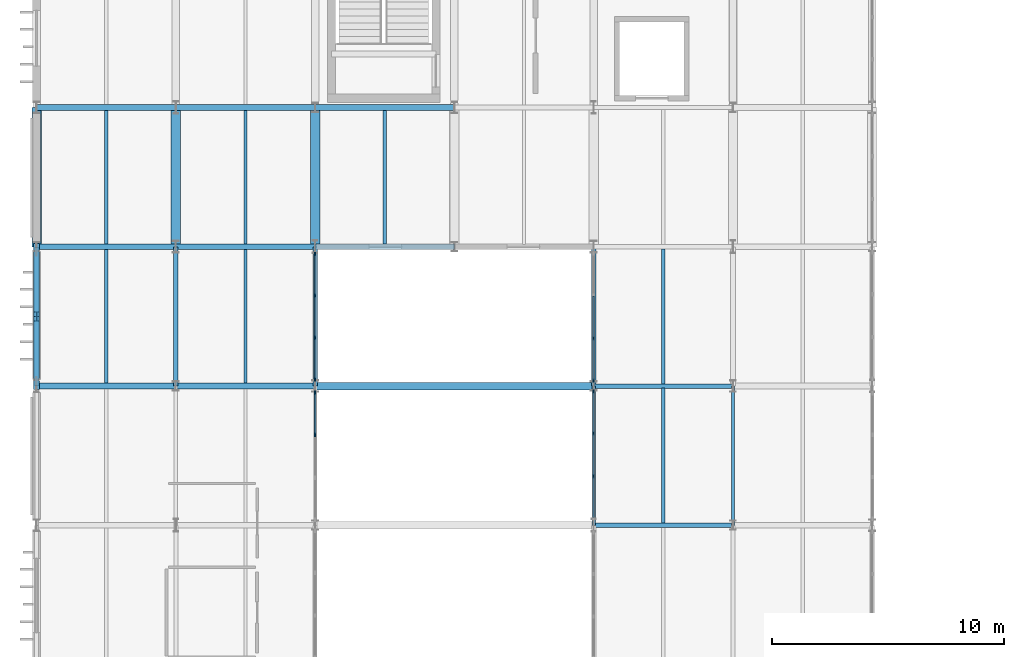
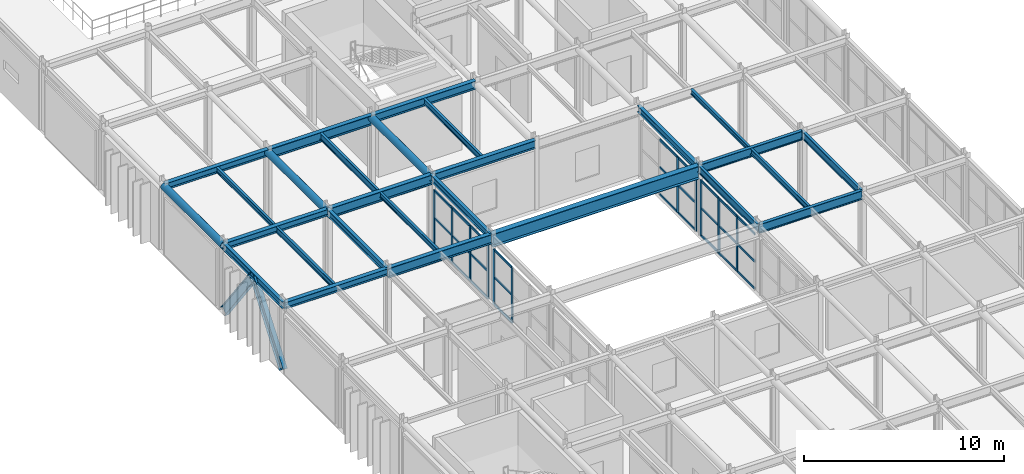
# One storey, part 26 of 84: 40 members, 27 beams, 4 elements without a shape of their own.
"""IFC4 building model written with IfcOpenShell, lengths in metres."""

import ifcopenshell
import ifcopenshell.guid

model = None  # the IFC model being written
_history = None  # IfcOwnerHistory: only IFC2X3 demands one
_inside = {}  # id of a spatial element -> (the spatial element, [elements in it])
_under = {}  # id of a project, library or spatial element -> (it, [spatial elements below it])
_declared = {}  # id of a project -> (the project, [libraries it declares])
_typed = {}  # id of a type object -> (the type object, [elements of that type])
_made_of = {}  # id of a material, layer set ... -> (it, [elements and type objects made of it])


def new_model(schema):
    """Start an empty IFC model of exactly this schema.

    Asked for "IFC4X3", IfcOpenShell would pick the latest addendum, in which some entities
    have other attributes; the version numbers below select the first issue.
    IFC2X3 requires an IfcOwnerHistory on every rooted entity: one is made here for all.
    """
    global model, _history
    if schema == "IFC4X3":
        model = ifcopenshell.file(schema_version=(4, 3, 0, 0))
    else:
        model = ifcopenshell.file(schema=schema)
    _inside.clear()
    _under.clear()
    _declared.clear()
    _typed.clear()
    _made_of.clear()
    _history = None
    if model.schema == "IFC2X3":
        org = make("IfcOrganization", Name="unknown")
        user = make(
            "IfcPersonAndOrganization",
            ThePerson=make("IfcPerson", FamilyName="unknown"),
            TheOrganization=org,
        )
        app = make(
            "IfcApplication",
            ApplicationDeveloper=org,
            Version="unknown",
            ApplicationFullName="unknown",
            ApplicationIdentifier="unknown",
        )
        _history = make(
            "IfcOwnerHistory",
            OwningUser=user,
            OwningApplication=app,
            ChangeAction="ADDED",
            CreationDate=0,
        )
    return model


def make(cls, **values):
    """One entity of the class cls with the attributes given. An attribute that is None is left unset."""
    return model.create_entity(
        cls, **{name: value for name, value in values.items() if value is not None}
    )


def rooted(cls, **values):
    """An entity with a GlobalId (a new one), such as an element, a storey or a relation."""
    return make(cls, GlobalId=ifcopenshell.guid.new(), OwnerHistory=_history, **values)


def si_unit(unit_type, name, prefix=None):
    """IfcSIUnit, for example si_unit("LENGTHUNIT", "METRE", prefix="MILLI")."""
    return make("IfcSIUnit", UnitType=unit_type, Prefix=prefix, Name=name)


def assignment(units):
    """IfcUnitAssignment: the units of a project."""
    return None if units is None else make("IfcUnitAssignment", Units=units)


def point(xyz):
    """IfcCartesianPoint."""
    return None if xyz is None else make("IfcCartesianPoint", Coordinates=xyz)


def direction(xyz):
    """IfcDirection."""
    return None if xyz is None else make("IfcDirection", DirectionRatios=xyz)


def frame(location, z_axis=None, x_axis=None):
    """IfcAxis2Placement3D, a coordinate frame: its origin and axes. An axis left out is left unset."""
    return make(
        "IfcAxis2Placement3D",
        Location=point(location),
        Axis=direction(z_axis),
        RefDirection=direction(x_axis),
    )


def frame_2d(location, x_axis=None):
    """IfcAxis2Placement2D, a coordinate frame in the plane: its origin and x axis."""
    return make(
        "IfcAxis2Placement2D", Location=point(location), RefDirection=direction(x_axis)
    )


def origin():
    """The frame at (0, 0, 0) with its axes left unset."""
    return frame((0.0, 0.0, 0.0))


def origin_2d():
    """The frame at (0, 0) in the plane with its x axis left unset."""
    return frame_2d((0.0, 0.0))


def place(relative_to, where):
    """IfcLocalPlacement: puts the frame where relative to a parent placement (None: the world)."""
    return make(
        "IfcLocalPlacement", PlacementRelTo=relative_to, RelativePlacement=where
    )


def context(
    kind, dimensions, precision=None, world=None, true_north=None, identifier=None
):
    """IfcGeometricRepresentationContext, for example the 3D "Model" context."""
    return make(
        "IfcGeometricRepresentationContext",
        ContextIdentifier=identifier,
        ContextType=kind,
        CoordinateSpaceDimension=dimensions,
        Precision=precision,
        WorldCoordinateSystem=world,
        TrueNorth=true_north,
    )


def subcontext(parent, identifier, kind, view, scale=None):
    """IfcGeometricRepresentationSubContext, for example "Body" below "Model"."""
    return make(
        "IfcGeometricRepresentationSubContext",
        ContextIdentifier=identifier,
        ContextType=kind,
        ParentContext=parent,
        TargetScale=scale,
        TargetView=view,
    )


def project(units=None, contexts=None):
    """IfcProject with its units and contexts."""
    return rooted(
        "IfcProject",
        Name="project",
        RepresentationContexts=contexts,
        UnitsInContext=assignment(units),
    )


def spatial(cls, under=None, at=None, **own):
    """A site, building, storey or space (cls), placed at a placement, below another one or the project."""
    s = rooted(cls, ObjectPlacement=at, **own)
    if under is not None:
        _under.setdefault(under.id(), (under, []))[1].append(s)
    return s


def profile(cls, at=None, kind="AREA", **sizes):
    """A parametric profile (cls). Its sizes go by their IFC names, for example OverallWidth=200.0."""
    return make(cls, ProfileType=kind, Position=at, **sizes)


def rectangle(**sizes):
    """IfcRectangleProfileDef."""
    return profile("IfcRectangleProfileDef", **sizes)


def hollow_circle(**sizes):
    """IfcCircleHollowProfileDef."""
    return profile("IfcCircleHollowProfileDef", **sizes)


def i_section(**sizes):
    """IfcIShapeProfileDef."""
    return profile("IfcIShapeProfileDef", **sizes)


def extrude(swept, where, along, depth):
    """IfcExtrudedAreaSolid: the profile swept, set in the frame where, extruded along a direction by depth."""
    return make(
        "IfcExtrudedAreaSolid",
        SweptArea=swept,
        Position=where,
        ExtrudedDirection=direction(along),
        Depth=depth,
    )


def shape(context_of_items, identifier, shape_type, items):
    """IfcShapeRepresentation: the items that make up one representation, for example the "Body"."""
    return make(
        "IfcShapeRepresentation",
        ContextOfItems=context_of_items,
        RepresentationIdentifier=identifier,
        RepresentationType=shape_type,
        Items=items,
    )


def material(Name=None, Category=None):
    """IfcMaterial."""
    return make("IfcMaterial", Name=Name, Category=Category)


def material_profile(
    of_material, cross_section, Name=None, Category=None, Priority=None
):
    """IfcMaterialProfile: a cross section and its material."""
    return make(
        "IfcMaterialProfile",
        Name=Name,
        Material=of_material,
        Profile=cross_section,
        Priority=Priority,
        Category=Category,
    )


def profile_set(profiles, Name=None, composite=None):
    """IfcMaterialProfileSet."""
    return make(
        "IfcMaterialProfileSet",
        Name=Name,
        MaterialProfiles=profiles,
        CompositeProfile=composite,
    )


def made_of(thing, what):
    """Note that an element or type object is made of a material, layer set ...; save() writes the relation."""
    if what is not None:
        _made_of.setdefault(what.id(), (what, []))[1].append(thing)
    return thing


def type_object(cls, material=None, **own):
    """A type object (cls), such as IfcWallType, which elements share."""
    return made_of(rooted(cls, **own), material)


def element(
    cls,
    number,
    at=None,
    inside=None,
    cuts=None,
    type_object=None,
    material=None,
    context=None,
    identifier="Body",
    shape_type=None,
    held_by="IfcProductDefinitionShape",
    body=None,
    shapes=None,
    **own,
):
    """One element of the class cls, such as IfcWall. Its Tag is "e" and its number.

    at: its placement. inside: the storey or other place that contains it. cuts: it is an
    opening in that element (IfcRelVoidsElement). A single representation is given by context,
    identifier, shape_type and body (its items); several are given by shapes. held_by: the class
    of the entity that holds the representations. save() writes the other relations.
    """
    e = rooted(cls, Tag="e%d" % number, ObjectPlacement=at, **own)
    if body is not None:
        shapes = [shape(context, identifier, shape_type, body)]
    if shapes is not None:
        e.Representation = make(held_by, Representations=shapes)
    if inside is not None:
        _inside.setdefault(inside.id(), (inside, []))[1].append(e)
    if cuts is not None:
        rooted(
            "IfcRelVoidsElement", RelatingBuildingElement=cuts, RelatedOpeningElement=e
        )
    if type_object is not None:
        _typed.setdefault(type_object.id(), (type_object, []))[1].append(e)
    return made_of(e, material)


def aggregate(whole, parts):
    """IfcRelAggregates: a whole, such as a stair, and the parts it consists of."""
    return rooted("IfcRelAggregates", RelatingObject=whole, RelatedObjects=parts)


def save(model, path):
    """Write the relations noted so far, then the file.

    IfcRelAggregates (storeys below a building ...), IfcRelContainedInSpatialStructure (elements
    in a storey), IfcRelDefinesByType, IfcRelAssociatesMaterial and IfcRelDeclares: one each for
    every whole, place, type object, material and project.
    """
    for whole, parts in _under.values():
        aggregate(whole, parts)
    for where, things in _inside.values():
        rooted(
            "IfcRelContainedInSpatialStructure",
            RelatedElements=things,
            RelatingStructure=where,
        )
    for kind, things in _typed.values():
        rooted("IfcRelDefinesByType", RelatedObjects=things, RelatingType=kind)
    for what, things in _made_of.values():
        rooted("IfcRelAssociatesMaterial", RelatedObjects=things, RelatingMaterial=what)
    for by, libraries in _declared.values():
        rooted("IfcRelDeclares", RelatingContext=by, RelatedDefinitions=libraries)
    model.write(path)


model = new_model("IFC4")

# Units and contexts
model_context = context("Model", 3, precision=1e-05, world=origin(), true_north=direction((0.0, 1.0)))
body_context = subcontext(model_context, "Body", "Model", "MODEL_VIEW")
ifc_project = project(units=[si_unit("LENGTHUNIT", "METRE"), si_unit("AREAUNIT", "SQUARE_METRE"), si_unit("VOLUMEUNIT", "CUBIC_METRE"), si_unit("PLANEANGLEUNIT", "RADIAN"), si_unit("MASSUNIT", "GRAM", prefix="KILO")], contexts=[model_context])

# Site, building, storey
site_placement = place(None, origin())
site = spatial("IfcSite", under=ifc_project, at=site_placement, CompositionType="ELEMENT")
building_placement = place(site_placement, origin())
building = spatial("IfcBuilding", under=site, at=building_placement, Name="Varnakota Square Police Headquarters", CompositionType="ELEMENT")
storey_placement = place(building_placement, frame((0.0, 0.0, 13.5)))
storey = spatial("IfcBuildingStorey", under=building, at=storey_placement, Name="L03", CompositionType="ELEMENT", Elevation=13.5)

# Beams
ifc_material_1 = material(Name="Steel IS 2062 Grade 350", Category="steel")
ifc_material_profile_1 = material_profile(ifc_material_1, hollow_circle(Radius=0.203125, WallThickness=0.01611328125, at=origin_2d()), Name="CHS 406.4x16.0")
ifc_profile_set_1 = profile_set([ifc_material_profile_1], Name="Steel IS 2062 Grade 350")
beam_type_1 = type_object("IfcBeamType", Name="BM-ARC-CHS406", PredefinedType="BEAM", material=ifc_profile_set_1)
for number, where, z_axis, x_axis, name in (
    (1, (6.0, 57.0, 3.996826171875), (0.0, 1.0, 0.0), (-1.0, 0.0, 0.0), "BMG-L03-2601"),
    (2, (12.0, 57.0, 3.996826171875), (0.0, 1.0, 0.0), (-1.0, 0.0, 0.0), "BMG-L03-2615"),
    (3, (18.0, 57.0, 3.996826171875), (0.0, 1.0, 0.0), (-1.0, 0.0, 0.0), "BMG-L03-2625"),
):
    element("IfcBeam", number, at=place(storey_placement, frame(where, z_axis=z_axis, x_axis=x_axis)), inside=storey, type_object=beam_type_1, Name=name, PredefinedType="BEAM", context=body_context, shape_type="SweptSolid", body=[
        extrude(hollow_circle(Radius=0.203125, WallThickness=0.01611328125, at=origin_2d()), origin(), (0.0, 0.0, 1.0), 6.0),
    ])
ifc_material_profile_2 = material_profile(ifc_material_1, i_section(OverallWidth=0.320068359375, OverallDepth=0.800048828125, WebThickness=0.01611328125, FlangeThickness=0.028076171875, at=origin_2d()), Name="BPG 800x320")
ifc_profile_set_2 = profile_set([ifc_material_profile_2], Name="Steel IS 2062 Grade 350")
beam_type_2 = type_object("IfcBeamType", Name="BM-BPG800", PredefinedType="BEAM", material=ifc_profile_set_2)
beam_1_placement = place(storey_placement, frame((18.0, 51.0, 3.800048828125), z_axis=(1.0, 0.0, 0.0), x_axis=(0.0, 1.0, 0.0)))
element("IfcBeam", 4, at=beam_1_placement, inside=storey, type_object=beam_type_2, Name="BMG-L03-2493", PredefinedType="BEAM", context=body_context, shape_type="SweptSolid", body=[
    extrude(i_section(OverallWidth=0.320068359375, OverallDepth=0.800048828125, WebThickness=0.01611328125, FlangeThickness=0.028076171875, at=origin_2d()), origin(), (0.0, 0.0, 1.0), 12.0),
])
ifc_material_profile_3 = material_profile(ifc_material_1, i_section(OverallWidth=0.25, OverallDepth=0.39990234375, WebThickness=0.010498046875, FlangeThickness=0.0126953125, FilletRadius=0.013916015625, at=origin_2d()), Name="ISHB 400")
ifc_profile_set_3 = profile_set([ifc_material_profile_3], Name="Steel IS 2062 Grade 350")
beam_type_3 = type_object("IfcBeamType", Name="BM-ISHB400", PredefinedType="BEAM", material=ifc_profile_set_3)
for number, where, z_axis, x_axis, name in (
    (5, (6.0, 51.0, 4.0), (1.0, 0.0, 0.0), (0.0, 1.0, 0.0), "BMG-L03-2491"),
    (6, (6.0, 57.0, 4.0), (1.0, 0.0, 0.0), (0.0, 1.0, 0.0), "BMG-L03-2496"),
    (7, (6.0, 63.0, 4.0), (1.0, 0.0, 0.0), (0.0, 1.0, 0.0), "BMG-L03-2502"),
):
    element("IfcBeam", number, at=place(storey_placement, frame(where, z_axis=z_axis, x_axis=x_axis)), inside=storey, type_object=beam_type_3, Name=name, PredefinedType="BEAM", context=body_context, shape_type="SweptSolid", body=[
        extrude(i_section(OverallWidth=0.25, OverallDepth=0.39990234375, WebThickness=0.010498046875, FlangeThickness=0.0126953125, FilletRadius=0.013916015625, at=origin_2d()), origin(), (0.0, 0.0, 1.0), 6.0),
    ])
ifc_material_profile_4 = material_profile(ifc_material_1, i_section(OverallWidth=0.139892578125, OverallDepth=0.300048828125, WebThickness=0.0078125, FlangeThickness=0.01318359375, FilletRadius=0.013916015625, at=origin_2d()), Name="ISMB 300")
ifc_profile_set_4 = profile_set([ifc_material_profile_4], Name="Steel IS 2062 Grade 350")
beam_type_4 = type_object("IfcBeamType", Name="BM-ISMB300", PredefinedType="JOIST", material=ifc_profile_set_4)
for number, where, z_axis, x_axis, name in (
    (8, (9.0, 57.123046875, 4.050048828125), (0.0, 1.0, 0.0), (-1.0, 0.0, 0.0), "BMG-L03-2762"),
    (9, (15.0, 51.123046875, 4.050048828125), (0.0, 1.0, 0.0), (-1.0, 0.0, 0.0), "BMG-L03-2769"),
):
    element("IfcBeam", number, at=place(storey_placement, frame(where, z_axis=z_axis, x_axis=x_axis)), inside=storey, type_object=beam_type_4, Name=name, PredefinedType="JOIST", context=body_context, shape_type="SweptSolid", body=[
        extrude(i_section(OverallWidth=0.139892578125, OverallDepth=0.300048828125, WebThickness=0.0078125, FlangeThickness=0.01318359375, FilletRadius=0.013916015625, at=origin_2d()), origin(), (0.0, 0.0, 1.0), 5.75390625),
    ])
beam_2_placement = place(storey_placement, frame((33.0, 51.093017578125, 4.050048828125), z_axis=(0.0, 1.0, 0.0), x_axis=(-1.0, 0.0, 0.0)))
element("IfcBeam", 10, at=beam_2_placement, inside=storey, type_object=beam_type_4, Name="BMG-L03-2787", PredefinedType="JOIST", context=body_context, shape_type="SweptSolid", body=[
    extrude(i_section(OverallWidth=0.139892578125, OverallDepth=0.300048828125, WebThickness=0.0078125, FlangeThickness=0.01318359375, FilletRadius=0.013916015625, at=origin_2d()), origin(), (0.0, 0.0, 1.0), 5.81396484375),
])
ifc_material_profile_5 = material_profile(ifc_material_1, i_section(OverallWidth=0.139892578125, OverallDepth=0.35009765625, WebThickness=0.008056640625, FlangeThickness=0.01416015625, FilletRadius=0.013916015625, at=origin_2d()), Name="ISMB 350")
ifc_profile_set_5 = profile_set([ifc_material_profile_5], Name="Steel IS 2062 Grade 350")
beam_type_5 = type_object("IfcBeamType", Name="BM-ISMB350", PredefinedType="JOIST", material=ifc_profile_set_5)
for number, where, z_axis, x_axis, name in (
    (11, (9.0, 51.123046875, 4.02490234375), (0.0, 1.0, 0.0), (-1.0, 0.0, 0.0), "BMG-L03-2761"),
    (12, (21.0, 57.123046875, 4.02490234375), (0.0, 1.0, 0.0), (-1.0, 0.0, 0.0), "BMG-L03-2776"),
):
    element("IfcBeam", number, at=place(storey_placement, frame(where, z_axis=z_axis, x_axis=x_axis)), inside=storey, type_object=beam_type_5, Name=name, PredefinedType="JOIST", context=body_context, shape_type="SweptSolid", body=[
        extrude(i_section(OverallWidth=0.139892578125, OverallDepth=0.35009765625, WebThickness=0.008056640625, FlangeThickness=0.01416015625, FilletRadius=0.013916015625, at=origin_2d()), origin(), (0.0, 0.0, 1.0), 5.75390625),
    ])
beam_3_placement = place(storey_placement, frame((33.0, 45.093017578125, 4.02490234375), z_axis=(0.0, 1.0, 0.0), x_axis=(-1.0, 0.0, 0.0)))
element("IfcBeam", 13, at=beam_3_placement, inside=storey, type_object=beam_type_5, Name="BMG-L03-2786", PredefinedType="JOIST", context=body_context, shape_type="SweptSolid", body=[
    extrude(i_section(OverallWidth=0.139892578125, OverallDepth=0.35009765625, WebThickness=0.008056640625, FlangeThickness=0.01416015625, FilletRadius=0.013916015625, at=origin_2d()), origin(), (0.0, 0.0, 1.0), 5.81396484375),
])
ifc_material_profile_6 = material_profile(ifc_material_1, i_section(OverallWidth=0.139892578125, OverallDepth=0.39990234375, WebThickness=0.0087890625, FlangeThickness=0.01611328125, FilletRadius=0.013916015625, at=origin_2d()), Name="ISMB 400")
ifc_profile_set_6 = profile_set([ifc_material_profile_6], Name="Steel IS 2062 Grade 350")
beam_type_6 = type_object("IfcBeamType", Name="BM-ISMB400", PredefinedType="JOIST", material=ifc_profile_set_6)
beam_4_placement = place(storey_placement, frame((15.0, 57.123046875, 4.0), z_axis=(0.0, 1.0, 0.0), x_axis=(-1.0, 0.0, 0.0)))
element("IfcBeam", 14, at=beam_4_placement, inside=storey, type_object=beam_type_6, Name="BMG-L03-2770", PredefinedType="JOIST", context=body_context, shape_type="SweptSolid", body=[
    extrude(i_section(OverallWidth=0.139892578125, OverallDepth=0.39990234375, WebThickness=0.0087890625, FlangeThickness=0.01611328125, FilletRadius=0.013916015625, at=origin_2d()), origin(), (0.0, 0.0, 1.0), 5.75390625),
])
ifc_material_profile_7 = material_profile(ifc_material_1, i_section(OverallWidth=0.14990234375, OverallDepth=0.449951171875, WebThickness=0.009521484375, FlangeThickness=0.017333984375, FilletRadius=0.014892578125, at=origin_2d()), Name="ISMB 450")
ifc_profile_set_7 = profile_set([ifc_material_profile_7], Name="Steel IS 2062 Grade 350")
beam_type_7 = type_object("IfcBeamType", Name="BM-ISMB450", PredefinedType="BEAM", material=ifc_profile_set_7)
for number, where, z_axis, x_axis, name in (
    (15, (30.0, 45.0, 3.97509765625), (0.0, 1.0, 0.0), (-1.0, 0.0, 0.0), "BMG-L03-2638"),
    (16, (36.0, 45.0, 3.97509765625), (0.0, 1.0, 0.0), (-1.0, 0.0, 0.0), "BMG-L03-2648"),
):
    element("IfcBeam", number, at=place(storey_placement, frame(where, z_axis=z_axis, x_axis=x_axis)), inside=storey, type_object=beam_type_7, Name=name, PredefinedType="BEAM", context=body_context, shape_type="SweptSolid", body=[
        extrude(i_section(OverallWidth=0.14990234375, OverallDepth=0.449951171875, WebThickness=0.009521484375, FlangeThickness=0.017333984375, FilletRadius=0.014892578125, at=origin_2d()), origin(), (0.0, 0.0, 1.0), 6.0),
    ])
ifc_material_profile_8 = material_profile(ifc_material_1, i_section(OverallWidth=0.18994140625, OverallDepth=0.550048828125, WebThickness=0.01123046875, FlangeThickness=0.019287109375, FilletRadius=0.01806640625, at=origin_2d()), Name="ISMB 550")
ifc_profile_set_8 = profile_set([ifc_material_profile_8], Name="Steel IS 2062 Grade 350")
beam_type_8 = type_object("IfcBeamType", Name="BM-ISMB550", PredefinedType="BEAM", material=ifc_profile_set_8)
for number, where, z_axis, x_axis, name in (
    (17, (30.0, 45.0, 3.925048828125), (1.0, 0.0, 0.0), (0.0, 1.0, 0.0), "BMG-L03-2486"),
    (18, (30.0, 51.0, 3.925048828125), (1.0, 0.0, 0.0), (0.0, 1.0, 0.0), "BMG-L03-2494"),
):
    element("IfcBeam", number, at=place(storey_placement, frame(where, z_axis=z_axis, x_axis=x_axis)), inside=storey, type_object=beam_type_8, Name=name, PredefinedType="BEAM", context=body_context, shape_type="SweptSolid", body=[
        extrude(i_section(OverallWidth=0.18994140625, OverallDepth=0.550048828125, WebThickness=0.01123046875, FlangeThickness=0.019287109375, FilletRadius=0.01806640625, at=origin_2d()), origin(), (0.0, 0.0, 1.0), 6.0),
    ])
ifc_material_profile_9 = material_profile(ifc_material_1, i_section(OverallWidth=0.199951171875, OverallDepth=0.39990234375, WebThickness=0.008544921875, FlangeThickness=0.012939453125, FilletRadius=0.012939453125, at=origin_2d()), Name="ISWB 400")
ifc_profile_set_9 = profile_set([ifc_material_profile_9], Name="Steel IS 2062 Grade 350")
beam_type_9 = type_object("IfcBeamType", Name="BM-ISWB400", PredefinedType="BEAM", material=ifc_profile_set_9)
for number, where, z_axis, x_axis, name in (
    (19, (6.0, 51.0, 4.0), (0.0, 1.0, 0.0), (-1.0, 0.0, 0.0), "BMG-L03-2600"),
    (20, (12.0, 51.0, 4.0), (0.0, 1.0, 0.0), (-1.0, 0.0, 0.0), "BMG-L03-2614"),
    (21, (18.0, 51.0, 4.0), (0.0, 1.0, 0.0), (-1.0, 0.0, 0.0), "BMG-L03-2624"),
    (22, (30.0, 51.0, 4.0), (0.0, 1.0, 0.0), (-1.0, 0.0, 0.0), "BMG-L03-2639"),
):
    element("IfcBeam", number, at=place(storey_placement, frame(where, z_axis=z_axis, x_axis=x_axis)), inside=storey, type_object=beam_type_9, Name=name, PredefinedType="BEAM", context=body_context, shape_type="SweptSolid", body=[
        extrude(i_section(OverallWidth=0.199951171875, OverallDepth=0.39990234375, WebThickness=0.008544921875, FlangeThickness=0.012939453125, FilletRadius=0.012939453125, at=origin_2d()), origin(), (0.0, 0.0, 1.0), 6.0),
    ])
ifc_material_profile_10 = material_profile(ifc_material_1, i_section(OverallWidth=0.25, OverallDepth=0.5, WebThickness=0.010009765625, FlangeThickness=0.0146484375, FilletRadius=0.014892578125, at=origin_2d()), Name="ISWB 500")
ifc_profile_set_10 = profile_set([ifc_material_profile_10], Name="Steel IS 2062 Grade 350")
beam_type_10 = type_object("IfcBeamType", Name="BM-ISWB500", PredefinedType="BEAM", material=ifc_profile_set_10)
for number, where, z_axis, x_axis, name in (
    (23, (18.0, 57.0, 3.949951171875), (1.0, 0.0, 0.0), (0.0, 1.0, 0.0), "BMG-L03-2498"),
    (24, (18.0, 63.0, 3.949951171875), (1.0, 0.0, 0.0), (0.0, 1.0, 0.0), "BMG-L03-2504"),
):
    element("IfcBeam", number, at=place(storey_placement, frame(where, z_axis=z_axis, x_axis=x_axis)), inside=storey, type_object=beam_type_10, Name=name, PredefinedType="BEAM", context=body_context, shape_type="SweptSolid", body=[
        extrude(i_section(OverallWidth=0.25, OverallDepth=0.5, WebThickness=0.010009765625, FlangeThickness=0.0146484375, FilletRadius=0.014892578125, at=origin_2d()), origin(), (0.0, 0.0, 1.0), 6.0),
    ])
ifc_material_profile_11 = material_profile(ifc_material_1, i_section(OverallWidth=0.25, OverallDepth=0.60009765625, WebThickness=0.01171875, FlangeThickness=0.023681640625, FilletRadius=0.01708984375, at=origin_2d()), Name="ISWB 600")
ifc_profile_set_11 = profile_set([ifc_material_profile_11], Name="Steel IS 2062 Grade 350")
beam_type_11 = type_object("IfcBeamType", Name="BM-ISWB600", PredefinedType="BEAM", material=ifc_profile_set_11)
for number, where, z_axis, x_axis, name in (
    (25, (12.0, 51.0, 3.89990234375), (1.0, 0.0, 0.0), (0.0, 1.0, 0.0), "BMG-L03-2492"),
    (26, (12.0, 57.0, 3.89990234375), (1.0, 0.0, 0.0), (0.0, 1.0, 0.0), "BMG-L03-2497"),
    (27, (12.0, 63.0, 3.89990234375), (1.0, 0.0, 0.0), (0.0, 1.0, 0.0), "BMG-L03-2503"),
):
    element("IfcBeam", number, at=place(storey_placement, frame(where, z_axis=z_axis, x_axis=x_axis)), inside=storey, type_object=beam_type_11, Name=name, PredefinedType="BEAM", context=body_context, shape_type="SweptSolid", body=[
        extrude(i_section(OverallWidth=0.25, OverallDepth=0.60009765625, WebThickness=0.01171875, FlangeThickness=0.023681640625, FilletRadius=0.01708984375, at=origin_2d()), origin(), (0.0, 0.0, 1.0), 6.0),
    ])

# Curtain wall, members
ifc_material_2 = material(Name="Anodised Aluminium Framing", Category="aluminium")
curtain_wall_type = type_object("IfcCurtainWallType", Name="CW-SYS-F", PredefinedType="NOTDEFINED", material=ifc_material_2)
curtain_wall_1_placement = place(storey_placement, origin())
curtain_wall_1 = element("IfcCurtainWall", 28, at=curtain_wall_1_placement, inside=storey, type_object=curtain_wall_type, Name="Unitised curtain wall CWG-L03-176", PredefinedType="NOTDEFINED")
ifc_material_3 = material(Name="Anodised Aluminium 6063-T6", Category="aluminium")
ifc_material_profile_12 = material_profile(ifc_material_3, rectangle(XDim=0.06494140625, YDim=0.159912109375, at=origin_2d()), Name="ALU MULLION 65x160")
ifc_profile_set_12 = profile_set([ifc_material_profile_12], Name="Anodised Aluminium 6063-T6")
member_type_1 = type_object("IfcMemberType", Name="CWM-150", PredefinedType="MULLION", material=ifc_profile_set_12)
member_1_placement = place(storey_placement, frame((18.0, 48.8984375, 0.0), z_axis=(0.0, 0.0, 1.0), x_axis=(-1.0, 0.0, 0.0)))
member_1 = element("IfcMember", 29, at=member_1_placement, type_object=member_type_1, Name="CWG-L03-176 mullion 3", PredefinedType="MULLION", context=body_context, shape_type="SweptSolid", body=[
    extrude(rectangle(XDim=0.06494140625, YDim=0.159912109375, at=origin_2d()), origin(), (0.0, 0.0, 1.0), 3.389892578125),
])
member_2_placement = place(storey_placement, frame((18.0, 50.71240234375, 0.0), z_axis=(0.0, 0.0, 1.0), x_axis=(-1.0, 0.0, 0.0)))
member_2 = element("IfcMember", 30, at=member_2_placement, type_object=member_type_1, Name="CWG-L03-176 mullion 4", PredefinedType="MULLION", context=body_context, shape_type="SweptSolid", body=[
    extrude(rectangle(XDim=0.06494140625, YDim=0.159912109375, at=origin_2d()), origin(), (0.0, 0.0, 1.0), 3.389892578125),
])

curtain_wall_2_placement = place(storey_placement, origin())
curtain_wall_2 = element("IfcCurtainWall", 31, at=curtain_wall_2_placement, inside=storey, type_object=curtain_wall_type, Name="Unitised curtain wall CWG-L03-177", PredefinedType="NOTDEFINED")
member_3_placement = place(storey_placement, frame((30.0, 47.118408203125, 0.0), z_axis=(0.0, 0.0, 1.0), x_axis=(-1.0, 0.0, 0.0)))
member_3 = element("IfcMember", 32, at=member_3_placement, type_object=member_type_1, Name="CWG-L03-177 mullion 2", PredefinedType="MULLION", context=body_context, shape_type="SweptSolid", body=[
    extrude(rectangle(XDim=0.06494140625, YDim=0.159912109375, at=origin_2d()), origin(), (0.0, 0.0, 1.0), 3.389892578125),
])
member_4_placement = place(storey_placement, frame((30.0, 48.956787109375, 0.0), z_axis=(0.0, 0.0, 1.0), x_axis=(-1.0, 0.0, 0.0)))
member_4 = element("IfcMember", 33, at=member_4_placement, type_object=member_type_1, Name="CWG-L03-177 mullion 3", PredefinedType="MULLION", context=body_context, shape_type="SweptSolid", body=[
    extrude(rectangle(XDim=0.06494140625, YDim=0.159912109375, at=origin_2d()), origin(), (0.0, 0.0, 1.0), 3.389892578125),
])
member_5_placement = place(storey_placement, frame((30.0, 50.762451171875, 0.0), z_axis=(0.0, 0.0, 1.0), x_axis=(-1.0, 0.0, 0.0)))
member_5 = element("IfcMember", 34, at=member_5_placement, type_object=member_type_1, Name="CWG-L03-177 mullion 4", PredefinedType="MULLION", context=body_context, shape_type="SweptSolid", body=[
    extrude(rectangle(XDim=0.06494140625, YDim=0.159912109375, at=origin_2d()), origin(), (0.0, 0.0, 1.0), 3.389892578125),
])

curtain_wall_3_placement = place(storey_placement, origin())
curtain_wall_3 = element("IfcCurtainWall", 35, at=curtain_wall_3_placement, inside=storey, type_object=curtain_wall_type, Name="Unitised curtain wall CWG-L03-178", PredefinedType="NOTDEFINED")
member_6_placement = place(storey_placement, frame((18.0, 51.28759765625, 0.0), z_axis=(0.0, 0.0, 1.0), x_axis=(-1.0, 0.0, 0.0)))
member_6 = element("IfcMember", 36, at=member_6_placement, type_object=member_type_1, Name="CWG-L03-178 mullion 1", PredefinedType="MULLION", context=body_context, shape_type="SweptSolid", body=[
    extrude(rectangle(XDim=0.06494140625, YDim=0.159912109375, at=origin_2d()), origin(), (0.0, 0.0, 1.0), 3.389892578125),
])
member_7_placement = place(storey_placement, frame((18.0, 53.07666015625, 0.0), z_axis=(0.0, 0.0, 1.0), x_axis=(-1.0, 0.0, 0.0)))
member_7 = element("IfcMember", 37, at=member_7_placement, type_object=member_type_1, Name="CWG-L03-178 mullion 2", PredefinedType="MULLION", context=body_context, shape_type="SweptSolid", body=[
    extrude(rectangle(XDim=0.06494140625, YDim=0.159912109375, at=origin_2d()), origin(), (0.0, 0.0, 1.0), 3.389892578125),
])
member_8_placement = place(storey_placement, frame((18.0, 54.8984375, 0.0), z_axis=(0.0, 0.0, 1.0), x_axis=(-1.0, 0.0, 0.0)))
member_8 = element("IfcMember", 38, at=member_8_placement, type_object=member_type_1, Name="CWG-L03-178 mullion 3", PredefinedType="MULLION", context=body_context, shape_type="SweptSolid", body=[
    extrude(rectangle(XDim=0.06494140625, YDim=0.159912109375, at=origin_2d()), origin(), (0.0, 0.0, 1.0), 3.389892578125),
])
member_9_placement = place(storey_placement, frame((18.0, 56.6875, 0.0), z_axis=(0.0, 0.0, 1.0), x_axis=(-1.0, 0.0, 0.0)))
member_9 = element("IfcMember", 39, at=member_9_placement, type_object=member_type_1, Name="CWG-L03-178 mullion 4", PredefinedType="MULLION", context=body_context, shape_type="SweptSolid", body=[
    extrude(rectangle(XDim=0.06494140625, YDim=0.159912109375, at=origin_2d()), origin(), (0.0, 0.0, 1.0), 3.389892578125),
])

curtain_wall_4_placement = place(storey_placement, origin())
curtain_wall_4 = element("IfcCurtainWall", 40, at=curtain_wall_4_placement, inside=storey, type_object=curtain_wall_type, Name="Unitised curtain wall CWG-L03-179", PredefinedType="NOTDEFINED")
member_10_placement = place(storey_placement, frame((30.0, 51.237548828125, 0.0), z_axis=(0.0, 0.0, 1.0), x_axis=(-1.0, 0.0, 0.0)))
member_10 = element("IfcMember", 41, at=member_10_placement, type_object=member_type_1, Name="CWG-L03-179 mullion 1", PredefinedType="MULLION", context=body_context, shape_type="SweptSolid", body=[
    extrude(rectangle(XDim=0.06494140625, YDim=0.159912109375, at=origin_2d()), origin(), (0.0, 0.0, 1.0), 3.389892578125),
])
member_11_placement = place(storey_placement, frame((30.0, 53.0517578125, 0.0), z_axis=(0.0, 0.0, 1.0), x_axis=(-1.0, 0.0, 0.0)))
member_11 = element("IfcMember", 42, at=member_11_placement, type_object=member_type_1, Name="CWG-L03-179 mullion 2", PredefinedType="MULLION", context=body_context, shape_type="SweptSolid", body=[
    extrude(rectangle(XDim=0.06494140625, YDim=0.159912109375, at=origin_2d()), origin(), (0.0, 0.0, 1.0), 3.389892578125),
])

# Member
ifc_material_profile_13 = material_profile(ifc_material_3, rectangle(XDim=0.06494140625, YDim=0.1298828125, at=origin_2d()), Name="ALU TRANSOM 65x130")
ifc_profile_set_13 = profile_set([ifc_material_profile_13], Name="Anodised Aluminium 6063-T6")
member_type_2 = type_object("IfcMemberType", Name="CWT-120", PredefinedType="USERDEFINED", material=ifc_profile_set_13)
member_12_placement = place(storey_placement, frame((18.0, 48.930908203125, 0.032470703125), z_axis=(0.0, 1.0, 0.0), x_axis=(-1.0, 0.0, 0.0)))
member_12 = element("IfcMember", 43, at=member_12_placement, type_object=member_type_2, Name="CWG-L03-176 transom 3.1", ObjectType="TRANSOM", PredefinedType="USERDEFINED", context=body_context, shape_type="SweptSolid", body=[
    extrude(rectangle(XDim=0.06494140625, YDim=0.1298828125, at=origin_2d()), origin(), (0.0, 0.0, 1.0), 1.7490234375),
])

member_13_placement = place(storey_placement, frame((18.0, 48.930908203125, 1.695068359375), z_axis=(0.0, 1.0, 0.0), x_axis=(-1.0, 0.0, 0.0)))
member_13 = element("IfcMember", 44, at=member_13_placement, type_object=member_type_2, Name="CWG-L03-176 transom 3.2", ObjectType="TRANSOM", PredefinedType="USERDEFINED", context=body_context, shape_type="SweptSolid", body=[
    extrude(rectangle(XDim=0.06494140625, YDim=0.1298828125, at=origin_2d()), origin(), (0.0, 0.0, 1.0), 1.7490234375),
])

member_14_placement = place(storey_placement, frame((18.0, 48.930908203125, 3.357421875), z_axis=(0.0, 1.0, 0.0), x_axis=(-1.0, 0.0, 0.0)))
member_14 = element("IfcMember", 45, at=member_14_placement, type_object=member_type_2, Name="CWG-L03-176 transom 3.3", ObjectType="TRANSOM", PredefinedType="USERDEFINED", context=body_context, shape_type="SweptSolid", body=[
    extrude(rectangle(XDim=0.06494140625, YDim=0.1298828125, at=origin_2d()), origin(), (0.0, 0.0, 1.0), 1.7490234375),
])

aggregate(curtain_wall_1, [member_1, member_2, member_12, member_13, member_14])

member_15_placement = place(storey_placement, frame((30.0, 45.344970703125, 0.032470703125), z_axis=(0.0, 1.0, 0.0), x_axis=(-1.0, 0.0, 0.0)))
member_15 = element("IfcMember", 46, at=member_15_placement, type_object=member_type_2, Name="CWG-L03-177 transom 1.1", ObjectType="TRANSOM", PredefinedType="USERDEFINED", context=body_context, shape_type="SweptSolid", body=[
    extrude(rectangle(XDim=0.06494140625, YDim=0.1298828125, at=origin_2d()), origin(), (0.0, 0.0, 1.0), 1.740966796875),
])

member_16_placement = place(storey_placement, frame((30.0, 45.344970703125, 1.695068359375), z_axis=(0.0, 1.0, 0.0), x_axis=(-1.0, 0.0, 0.0)))
member_16 = element("IfcMember", 47, at=member_16_placement, type_object=member_type_2, Name="CWG-L03-177 transom 1.2", ObjectType="TRANSOM", PredefinedType="USERDEFINED", context=body_context, shape_type="SweptSolid", body=[
    extrude(rectangle(XDim=0.06494140625, YDim=0.1298828125, at=origin_2d()), origin(), (0.0, 0.0, 1.0), 1.740966796875),
])

member_17_placement = place(storey_placement, frame((30.0, 45.344970703125, 3.357421875), z_axis=(0.0, 1.0, 0.0), x_axis=(-1.0, 0.0, 0.0)))
member_17 = element("IfcMember", 48, at=member_17_placement, type_object=member_type_2, Name="CWG-L03-177 transom 1.3", ObjectType="TRANSOM", PredefinedType="USERDEFINED", context=body_context, shape_type="SweptSolid", body=[
    extrude(rectangle(XDim=0.06494140625, YDim=0.1298828125, at=origin_2d()), origin(), (0.0, 0.0, 1.0), 1.740966796875),
])

member_18_placement = place(storey_placement, frame((30.0, 47.15087890625, 0.032470703125), z_axis=(0.0, 1.0, 0.0), x_axis=(-1.0, 0.0, 0.0)))
member_18 = element("IfcMember", 49, at=member_18_placement, type_object=member_type_2, Name="CWG-L03-177 transom 2.1", ObjectType="TRANSOM", PredefinedType="USERDEFINED", context=body_context, shape_type="SweptSolid", body=[
    extrude(rectangle(XDim=0.06494140625, YDim=0.1298828125, at=origin_2d()), origin(), (0.0, 0.0, 1.0), 1.773193359375),
])

member_19_placement = place(storey_placement, frame((30.0, 47.15087890625, 1.695068359375), z_axis=(0.0, 1.0, 0.0), x_axis=(-1.0, 0.0, 0.0)))
member_19 = element("IfcMember", 50, at=member_19_placement, type_object=member_type_2, Name="CWG-L03-177 transom 2.2", ObjectType="TRANSOM", PredefinedType="USERDEFINED", context=body_context, shape_type="SweptSolid", body=[
    extrude(rectangle(XDim=0.06494140625, YDim=0.1298828125, at=origin_2d()), origin(), (0.0, 0.0, 1.0), 1.773193359375),
])

member_20_placement = place(storey_placement, frame((30.0, 47.15087890625, 3.357421875), z_axis=(0.0, 1.0, 0.0), x_axis=(-1.0, 0.0, 0.0)))
member_20 = element("IfcMember", 51, at=member_20_placement, type_object=member_type_2, Name="CWG-L03-177 transom 2.3", ObjectType="TRANSOM", PredefinedType="USERDEFINED", context=body_context, shape_type="SweptSolid", body=[
    extrude(rectangle(XDim=0.06494140625, YDim=0.1298828125, at=origin_2d()), origin(), (0.0, 0.0, 1.0), 1.773193359375),
])

member_21_placement = place(storey_placement, frame((30.0, 48.9892578125, 0.032470703125), z_axis=(0.0, 1.0, 0.0), x_axis=(-1.0, 0.0, 0.0)))
member_21 = element("IfcMember", 52, at=member_21_placement, type_object=member_type_2, Name="CWG-L03-177 transom 3.1", ObjectType="TRANSOM", PredefinedType="USERDEFINED", context=body_context, shape_type="SweptSolid", body=[
    extrude(rectangle(XDim=0.06494140625, YDim=0.1298828125, at=origin_2d()), origin(), (0.0, 0.0, 1.0), 1.74072265625),
])

member_22_placement = place(storey_placement, frame((30.0, 48.9892578125, 1.695068359375), z_axis=(0.0, 1.0, 0.0), x_axis=(-1.0, 0.0, 0.0)))
member_22 = element("IfcMember", 53, at=member_22_placement, type_object=member_type_2, Name="CWG-L03-177 transom 3.2", ObjectType="TRANSOM", PredefinedType="USERDEFINED", context=body_context, shape_type="SweptSolid", body=[
    extrude(rectangle(XDim=0.06494140625, YDim=0.1298828125, at=origin_2d()), origin(), (0.0, 0.0, 1.0), 1.74072265625),
])

member_23_placement = place(storey_placement, frame((30.0, 48.9892578125, 3.357421875), z_axis=(0.0, 1.0, 0.0), x_axis=(-1.0, 0.0, 0.0)))
member_23 = element("IfcMember", 54, at=member_23_placement, type_object=member_type_2, Name="CWG-L03-177 transom 3.3", ObjectType="TRANSOM", PredefinedType="USERDEFINED", context=body_context, shape_type="SweptSolid", body=[
    extrude(rectangle(XDim=0.06494140625, YDim=0.1298828125, at=origin_2d()), origin(), (0.0, 0.0, 1.0), 1.74072265625),
])

aggregate(curtain_wall_2, [member_3, member_4, member_5, member_15, member_16, member_17, member_18, member_19, member_20, member_21, member_22, member_23])

member_24_placement = place(storey_placement, frame((18.0, 51.320068359375, 0.032470703125), z_axis=(0.0, 1.0, 0.0), x_axis=(-1.0, 0.0, 0.0)))
member_24 = element("IfcMember", 55, at=member_24_placement, type_object=member_type_2, Name="CWG-L03-178 transom 1.1", ObjectType="TRANSOM", PredefinedType="USERDEFINED", context=body_context, shape_type="SweptSolid", body=[
    extrude(rectangle(XDim=0.06494140625, YDim=0.1298828125, at=origin_2d()), origin(), (0.0, 0.0, 1.0), 1.72412109375),
])

member_25_placement = place(storey_placement, frame((18.0, 51.320068359375, 1.695068359375), z_axis=(0.0, 1.0, 0.0), x_axis=(-1.0, 0.0, 0.0)))
member_25 = element("IfcMember", 56, at=member_25_placement, type_object=member_type_2, Name="CWG-L03-178 transom 1.2", ObjectType="TRANSOM", PredefinedType="USERDEFINED", context=body_context, shape_type="SweptSolid", body=[
    extrude(rectangle(XDim=0.06494140625, YDim=0.1298828125, at=origin_2d()), origin(), (0.0, 0.0, 1.0), 1.72412109375),
])

member_26_placement = place(storey_placement, frame((18.0, 51.320068359375, 3.357421875), z_axis=(0.0, 1.0, 0.0), x_axis=(-1.0, 0.0, 0.0)))
member_26 = element("IfcMember", 57, at=member_26_placement, type_object=member_type_2, Name="CWG-L03-178 transom 1.3", ObjectType="TRANSOM", PredefinedType="USERDEFINED", context=body_context, shape_type="SweptSolid", body=[
    extrude(rectangle(XDim=0.06494140625, YDim=0.1298828125, at=origin_2d()), origin(), (0.0, 0.0, 1.0), 1.72412109375),
])

member_27_placement = place(storey_placement, frame((18.0, 53.109130859375, 0.032470703125), z_axis=(0.0, 1.0, 0.0), x_axis=(-1.0, 0.0, 0.0)))
member_27 = element("IfcMember", 58, at=member_27_placement, type_object=member_type_2, Name="CWG-L03-178 transom 2.1", ObjectType="TRANSOM", PredefinedType="USERDEFINED", context=body_context, shape_type="SweptSolid", body=[
    extrude(rectangle(XDim=0.06494140625, YDim=0.1298828125, at=origin_2d()), origin(), (0.0, 0.0, 1.0), 1.756591796875),
])

member_28_placement = place(storey_placement, frame((18.0, 53.109130859375, 1.695068359375), z_axis=(0.0, 1.0, 0.0), x_axis=(-1.0, 0.0, 0.0)))
member_28 = element("IfcMember", 59, at=member_28_placement, type_object=member_type_2, Name="CWG-L03-178 transom 2.2", ObjectType="TRANSOM", PredefinedType="USERDEFINED", context=body_context, shape_type="SweptSolid", body=[
    extrude(rectangle(XDim=0.06494140625, YDim=0.1298828125, at=origin_2d()), origin(), (0.0, 0.0, 1.0), 1.756591796875),
])

member_29_placement = place(storey_placement, frame((18.0, 53.109130859375, 3.357421875), z_axis=(0.0, 1.0, 0.0), x_axis=(-1.0, 0.0, 0.0)))
member_29 = element("IfcMember", 60, at=member_29_placement, type_object=member_type_2, Name="CWG-L03-178 transom 2.3", ObjectType="TRANSOM", PredefinedType="USERDEFINED", context=body_context, shape_type="SweptSolid", body=[
    extrude(rectangle(XDim=0.06494140625, YDim=0.1298828125, at=origin_2d()), origin(), (0.0, 0.0, 1.0), 1.756591796875),
])

member_30_placement = place(storey_placement, frame((18.0, 54.930908203125, 0.032470703125), z_axis=(0.0, 1.0, 0.0), x_axis=(-1.0, 0.0, 0.0)))
member_30 = element("IfcMember", 61, at=member_30_placement, type_object=member_type_2, Name="CWG-L03-178 transom 3.1", ObjectType="TRANSOM", PredefinedType="USERDEFINED", context=body_context, shape_type="SweptSolid", body=[
    extrude(rectangle(XDim=0.06494140625, YDim=0.1298828125, at=origin_2d()), origin(), (0.0, 0.0, 1.0), 1.72412109375),
])

member_31_placement = place(storey_placement, frame((18.0, 54.930908203125, 1.695068359375), z_axis=(0.0, 1.0, 0.0), x_axis=(-1.0, 0.0, 0.0)))
member_31 = element("IfcMember", 62, at=member_31_placement, type_object=member_type_2, Name="CWG-L03-178 transom 3.2", ObjectType="TRANSOM", PredefinedType="USERDEFINED", context=body_context, shape_type="SweptSolid", body=[
    extrude(rectangle(XDim=0.06494140625, YDim=0.1298828125, at=origin_2d()), origin(), (0.0, 0.0, 1.0), 1.72412109375),
])

member_32_placement = place(storey_placement, frame((18.0, 54.930908203125, 3.357421875), z_axis=(0.0, 1.0, 0.0), x_axis=(-1.0, 0.0, 0.0)))
member_32 = element("IfcMember", 63, at=member_32_placement, type_object=member_type_2, Name="CWG-L03-178 transom 3.3", ObjectType="TRANSOM", PredefinedType="USERDEFINED", context=body_context, shape_type="SweptSolid", body=[
    extrude(rectangle(XDim=0.06494140625, YDim=0.1298828125, at=origin_2d()), origin(), (0.0, 0.0, 1.0), 1.72412109375),
])

aggregate(curtain_wall_3, [member_6, member_7, member_8, member_9, member_24, member_25, member_26, member_27, member_28, member_29, member_30, member_31, member_32])

member_33_placement = place(storey_placement, frame((30.0, 51.27001953125, 0.032470703125), z_axis=(0.0, 1.0, 0.0), x_axis=(-1.0, 0.0, 0.0)))
member_33 = element("IfcMember", 64, at=member_33_placement, type_object=member_type_2, Name="CWG-L03-179 transom 1.1", ObjectType="TRANSOM", PredefinedType="USERDEFINED", context=body_context, shape_type="SweptSolid", body=[
    extrude(rectangle(XDim=0.06494140625, YDim=0.1298828125, at=origin_2d()), origin(), (0.0, 0.0, 1.0), 1.749267578125),
])

member_34_placement = place(storey_placement, frame((30.0, 51.27001953125, 1.695068359375), z_axis=(0.0, 1.0, 0.0), x_axis=(-1.0, 0.0, 0.0)))
member_34 = element("IfcMember", 65, at=member_34_placement, type_object=member_type_2, Name="CWG-L03-179 transom 1.2", ObjectType="TRANSOM", PredefinedType="USERDEFINED", context=body_context, shape_type="SweptSolid", body=[
    extrude(rectangle(XDim=0.06494140625, YDim=0.1298828125, at=origin_2d()), origin(), (0.0, 0.0, 1.0), 1.749267578125),
])

member_35_placement = place(storey_placement, frame((30.0, 51.27001953125, 3.357421875), z_axis=(0.0, 1.0, 0.0), x_axis=(-1.0, 0.0, 0.0)))
member_35 = element("IfcMember", 66, at=member_35_placement, type_object=member_type_2, Name="CWG-L03-179 transom 1.3", ObjectType="TRANSOM", PredefinedType="USERDEFINED", context=body_context, shape_type="SweptSolid", body=[
    extrude(rectangle(XDim=0.06494140625, YDim=0.1298828125, at=origin_2d()), origin(), (0.0, 0.0, 1.0), 1.749267578125),
])

member_36_placement = place(storey_placement, frame((30.0, 53.084228515625, 0.032470703125), z_axis=(0.0, 1.0, 0.0), x_axis=(-1.0, 0.0, 0.0)))
member_36 = element("IfcMember", 67, at=member_36_placement, type_object=member_type_2, Name="CWG-L03-179 transom 2.1", ObjectType="TRANSOM", PredefinedType="USERDEFINED", context=body_context, shape_type="SweptSolid", body=[
    extrude(rectangle(XDim=0.06494140625, YDim=0.1298828125, at=origin_2d()), origin(), (0.0, 0.0, 1.0), 1.781494140625),
])

member_37_placement = place(storey_placement, frame((30.0, 53.084228515625, 1.695068359375), z_axis=(0.0, 1.0, 0.0), x_axis=(-1.0, 0.0, 0.0)))
member_37 = element("IfcMember", 68, at=member_37_placement, type_object=member_type_2, Name="CWG-L03-179 transom 2.2", ObjectType="TRANSOM", PredefinedType="USERDEFINED", context=body_context, shape_type="SweptSolid", body=[
    extrude(rectangle(XDim=0.06494140625, YDim=0.1298828125, at=origin_2d()), origin(), (0.0, 0.0, 1.0), 1.781494140625),
])

member_38_placement = place(storey_placement, frame((30.0, 53.084228515625, 3.357421875), z_axis=(0.0, 1.0, 0.0), x_axis=(-1.0, 0.0, 0.0)))
member_38 = element("IfcMember", 69, at=member_38_placement, type_object=member_type_2, Name="CWG-L03-179 transom 2.3", ObjectType="TRANSOM", PredefinedType="USERDEFINED", context=body_context, shape_type="SweptSolid", body=[
    extrude(rectangle(XDim=0.06494140625, YDim=0.1298828125, at=origin_2d()), origin(), (0.0, 0.0, 1.0), 1.781494140625),
])

aggregate(curtain_wall_4, [member_10, member_11, member_33, member_34, member_35, member_36, member_37, member_38])

# Members
ifc_material_profile_14 = material_profile(ifc_material_1, i_section(OverallWidth=0.25, OverallDepth=0.5, WebThickness=0.010009765625, FlangeThickness=0.0146484375, FilletRadius=0.014892578125, at=origin_2d()), Name="ISWB 500")
ifc_profile_set_14 = profile_set([ifc_material_profile_14], Name="Steel IS 2062 Grade 350")
member_type_3 = type_object("IfcMemberType", Name="MEM-BR-ISWB500", PredefinedType="BRACE", material=ifc_profile_set_14)
for number, where, z_axis, x_axis, name in (
    (70, (6.0, 51.050048828125, 0.02001953125), (0.0, 0.600325874044, 0.79975549073), (-1.0, 0.0, 0.0), "Lateral brace BF4 L03 left"),
    (71, (6.0, 56.949951171875, 0.02001953125), (0.0, -0.600325874044, 0.79975549073), (1.0, 0.0, 0.0), "Lateral brace BF4 L03 right"),
):
    element("IfcMember", number, at=place(storey_placement, frame(where, z_axis=z_axis, x_axis=x_axis)), inside=storey, type_object=member_type_3, Name=name, PredefinedType="BRACE", context=body_context, shape_type="SweptSolid", body=[
        extrude(i_section(OverallWidth=0.25, OverallDepth=0.5, WebThickness=0.010009765625, FlangeThickness=0.0146484375, FilletRadius=0.014892578125, at=origin_2d()), origin(), (0.0, 0.0, 1.0), 4.913818359375),
    ])

save(model, "model.ifc")
